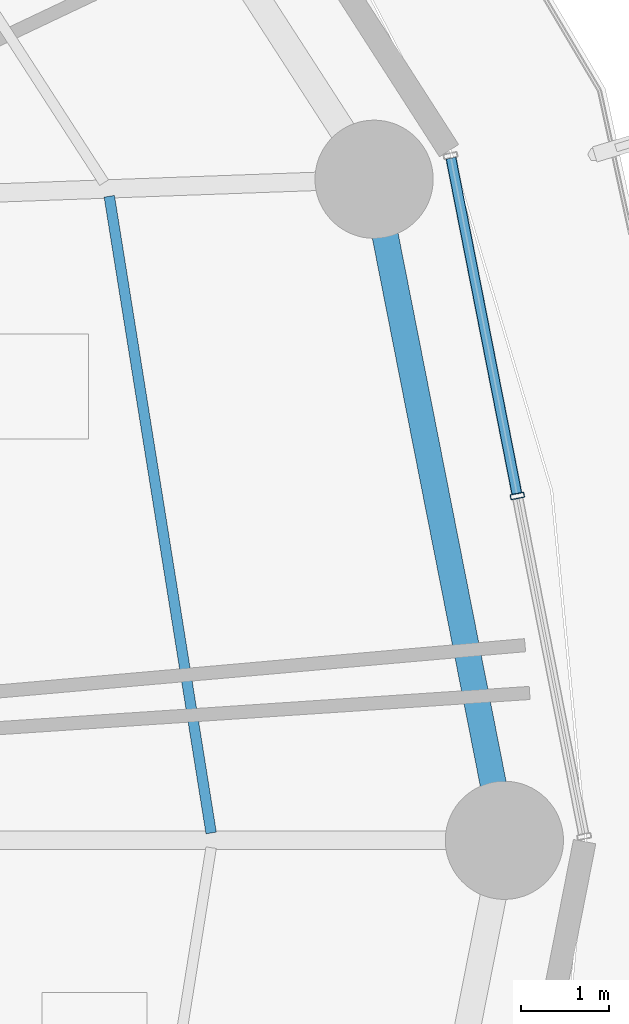
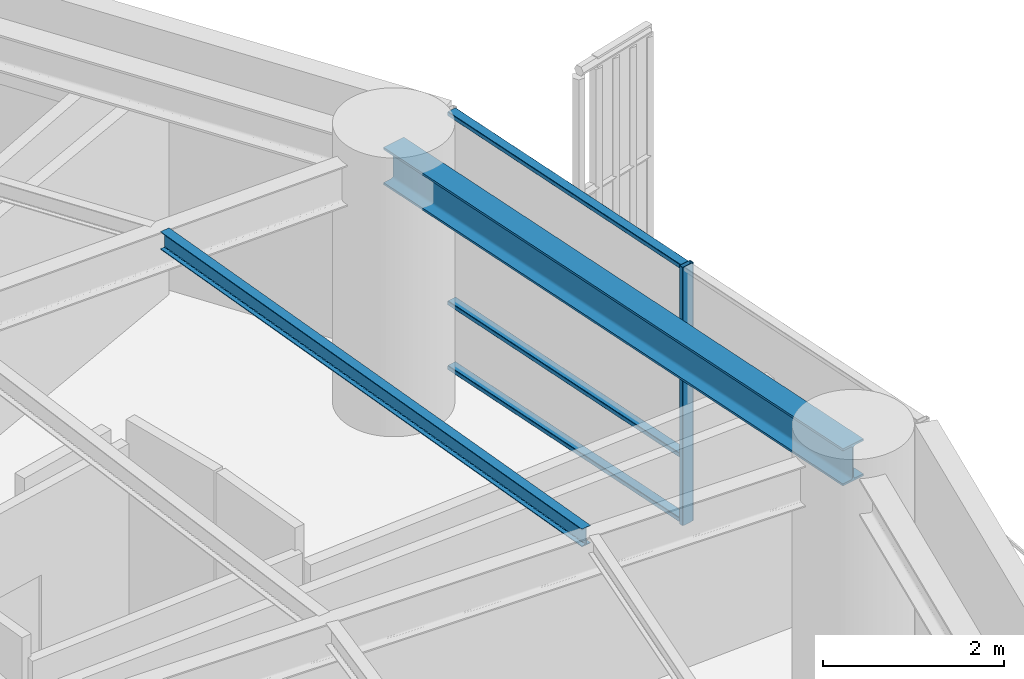
# One storey, part 16 of 36: 4 members, 2 beams, 1 element without a shape of its own.
"""IFC4 building model written with IfcOpenShell, lengths in metres."""

from ifc_helpers import new_model, si_unit, direction, frame, origin, origin_2d, place, context, subcontext, project, spatial, hollow_rectangle, i_section, extrude, material, layer, layer_set, material_profile, profile_set, type_object, element, aggregate, save


model = new_model("IFC4")

# Units and contexts
model_context = context("Model", 3, precision=1e-05, world=origin(), true_north=direction((0.0, 1.0)))
body_context = subcontext(model_context, "Body", "Model", "MODEL_VIEW")
ifc_project = project(units=[si_unit("LENGTHUNIT", "METRE"), si_unit("AREAUNIT", "SQUARE_METRE"), si_unit("VOLUMEUNIT", "CUBIC_METRE"), si_unit("PLANEANGLEUNIT", "RADIAN"), si_unit("MASSUNIT", "GRAM", prefix="KILO")], contexts=[model_context])

# Site, building, storey
site_placement = place(None, origin())
site = spatial("IfcSite", under=ifc_project, at=site_placement, CompositionType="ELEMENT")
building_placement = place(site_placement, origin())
building = spatial("IfcBuilding", under=site, at=building_placement, Name="Kelanora Arch Commons", CompositionType="ELEMENT")
storey_placement = place(building_placement, frame((0.0, 0.0, 98.85009765625)))
storey = spatial("IfcBuildingStorey", under=building, at=storey_placement, Name="L25", CompositionType="ELEMENT", Elevation=98.85009765625)

# Beams
ifc_material_1 = material(Name="Steel S355", Category="steel")
ifc_material_profile_1 = material_profile(ifc_material_1, i_section(OverallWidth=0.1201171875, OverallDepth=0.239990234375, WebThickness=0.006103515625, FlangeThickness=0.009765625, FilletRadius=0.014892578125, at=origin_2d()), Name="IPE240")
ifc_profile_set_1 = profile_set([ifc_material_profile_1], Name="Steel S355")
beam_type_1 = type_object("IfcBeamType", Name="BM-JST-02", PredefinedType="JOIST", material=ifc_profile_set_1)
beam_1_placement = place(storey_placement, frame((95.33056640625, 58.083984375, 3.369873046875), z_axis=(-0.157999549894, 0.987439184068, 0.0), x_axis=(-0.987439184068, -0.157999549894, 0.0)))
element("IfcBeam", 1, at=beam_1_placement, inside=storey, type_object=beam_type_1, Name="Secondary Chord Joist BJC-00 L25", PredefinedType="JOIST", context=body_context, shape_type="SweptSolid", body=[
    extrude(i_section(OverallWidth=0.1201171875, OverallDepth=0.239990234375, WebThickness=0.006103515625, FlangeThickness=0.009765625, FilletRadius=0.014892578125, at=origin_2d()), origin(), (0.0, 0.0, 1.0), 7.365966796875),
])
ifc_material_profile_2 = material_profile(ifc_material_1, i_section(OverallWidth=0.300048828125, OverallDepth=0.5, WebThickness=0.014404296875, FlangeThickness=0.028076171875, FilletRadius=0.027099609375, at=origin_2d()), Name="HEB500")
ifc_profile_set_2 = profile_set([ifc_material_profile_2], Name="Steel S355")
beam_type_2 = type_object("IfcBeamType", Name="BM-SPN-Z2", PredefinedType="SPANDREL", material=ifc_profile_set_2)
beam_2_placement = place(storey_placement, frame((98.679931640625, 58.0, 3.239990234375), z_axis=(-0.19335825777, 0.981128220037, 0.0), x_axis=(-0.981128220037, -0.19335825777, 0.0)))
element("IfcBeam", 2, at=beam_2_placement, inside=storey, type_object=beam_type_2, Name="Perimeter Spandrel Beam BS-00 L25", PredefinedType="SPANDREL", context=body_context, shape_type="SweptSolid", body=[
    extrude(i_section(OverallWidth=0.300048828125, OverallDepth=0.5, WebThickness=0.014404296875, FlangeThickness=0.028076171875, FilletRadius=0.027099609375, at=origin_2d()), origin(), (0.0, 0.0, 1.0), 7.697021484375),
])

# Curtain wall, members
ifc_material_2 = material(Name="Terracotta ceramic-fritted low-E glass and aluminium", Category="masonry")
ifc_layer = layer(ifc_material_2, 0.159912109375)
ifc_layer_set = layer_set([ifc_layer], Name="Terracotta ceramic-fritted low-E glass and aluminium")
curtain_wall_type = type_object("IfcCurtainWallType", Name="CW-SYS-01", PredefinedType="NOTDEFINED", material=ifc_layer_set)
curtain_wall_placement = place(storey_placement, origin())
curtain_wall = element("IfcCurtainWall", 3, at=curtain_wall_placement, inside=storey, type_object=curtain_wall_type, Name="Unitised Curtain Wall L25-B00", PredefinedType="NOTDEFINED")
ifc_material_3 = material(Name="Powder-coated aluminium terracotta", Category="masonry")
ifc_material_profile_3 = material_profile(ifc_material_3, hollow_rectangle(XDim=0.159912109375, YDim=0.06005859375, WallThickness=0.0048828125, InnerFilletRadius=0.0048828125, OuterFilletRadius=0.010009765625, at=origin_2d()), Name="CWM160x60")
ifc_profile_set_3 = profile_set([ifc_material_profile_3], Name="Powder-coated aluminium terracotta")
member_type_1 = type_object("IfcMemberType", Name="CWM-STD", PredefinedType="MULLION", material=ifc_profile_set_3)
member_1_placement = place(storey_placement, frame((98.828125, 61.933349609375, 0.0), z_axis=(0.0, 0.0, 1.0), x_axis=(-0.981280311646, -0.192584916272, 0.0)))
member_1 = element("IfcMember", 4, at=member_1_placement, type_object=member_type_1, Name="CW-01 mullion 2", PredefinedType="MULLION", context=body_context, shape_type="SweptSolid", body=[
    extrude(hollow_rectangle(XDim=0.159912109375, YDim=0.06005859375, WallThickness=0.0048828125, InnerFilletRadius=0.0048828125, OuterFilletRadius=0.010009765625, at=origin_2d()), origin(), (0.0, 0.0, 1.0), 3.474853515625),
])
ifc_material_profile_4 = material_profile(ifc_material_3, hollow_rectangle(XDim=0.1201171875, YDim=0.06005859375, WallThickness=0.0048828125, InnerFilletRadius=0.0048828125, OuterFilletRadius=0.010009765625, at=origin_2d()), Name="CWT120x60")
ifc_profile_set_4 = profile_set([ifc_material_profile_4], Name="Powder-coated aluminium terracotta")
member_type_2 = type_object("IfcMemberType", Name="CWT-STD", PredefinedType="USERDEFINED", material=ifc_profile_set_4)
member_2_placement = place(storey_placement, frame((98.822265625, 61.962646484375, 0.02978515625), z_axis=(-0.192578614785, 0.981281548348, 0.0), x_axis=(-0.981281548348, -0.192578614785, 0.0)))
member_2 = element("IfcMember", 5, at=member_2_placement, type_object=member_type_2, Name="CW-01 transom 2.1", ObjectType="TRANSOM", PredefinedType="USERDEFINED", context=body_context, shape_type="SweptSolid", body=[
    extrude(hollow_rectangle(XDim=0.1201171875, YDim=0.06005859375, WallThickness=0.0048828125, InnerFilletRadius=0.0048828125, OuterFilletRadius=0.010009765625, at=origin_2d()), origin(), (0.0, 0.0, 1.0), 3.9033203125),
])
member_3_placement = place(storey_placement, frame((98.822265625, 61.962646484375, 0.89990234375), z_axis=(-0.192578614785, 0.981281548348, 0.0), x_axis=(-0.981281548348, -0.192578614785, 0.0)))
member_3 = element("IfcMember", 6, at=member_3_placement, type_object=member_type_2, Name="CW-01 transom 2.2", ObjectType="TRANSOM", PredefinedType="USERDEFINED", context=body_context, shape_type="SweptSolid", body=[
    extrude(hollow_rectangle(XDim=0.1201171875, YDim=0.06005859375, WallThickness=0.0048828125, InnerFilletRadius=0.0048828125, OuterFilletRadius=0.010009765625, at=origin_2d()), origin(), (0.0, 0.0, 1.0), 3.9033203125),
])
member_4_placement = place(storey_placement, frame((98.822265625, 61.962646484375, 3.44482421875), z_axis=(-0.192578614785, 0.981281548348, 0.0), x_axis=(-0.981281548348, -0.192578614785, 0.0)))
member_4 = element("IfcMember", 7, at=member_4_placement, type_object=member_type_2, Name="CW-01 transom 2.3", ObjectType="TRANSOM", PredefinedType="USERDEFINED", context=body_context, shape_type="SweptSolid", body=[
    extrude(hollow_rectangle(XDim=0.1201171875, YDim=0.06005859375, WallThickness=0.0048828125, InnerFilletRadius=0.0048828125, OuterFilletRadius=0.010009765625, at=origin_2d()), origin(), (0.0, 0.0, 1.0), 3.9033203125),
])
aggregate(curtain_wall, [member_1, member_2, member_3, member_4])

save(model, "model.ifc")
